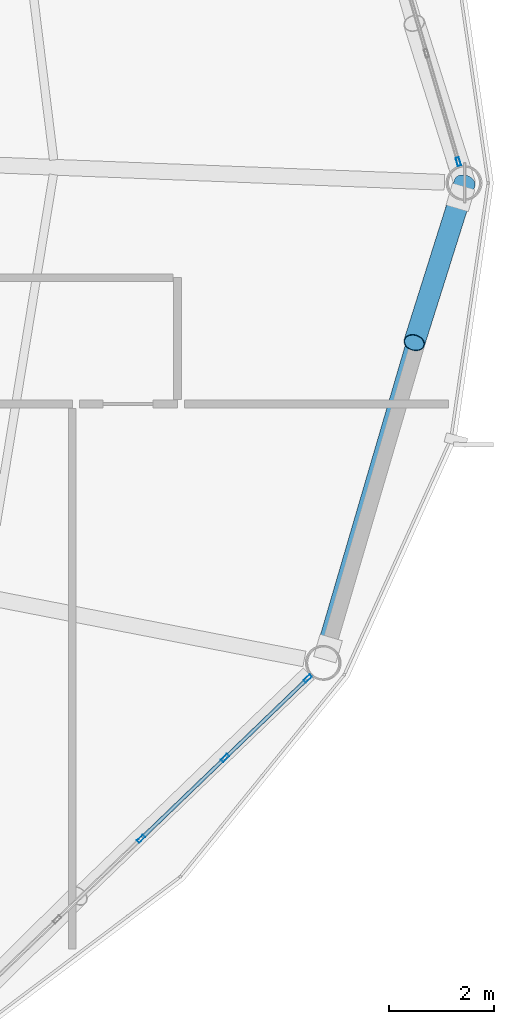
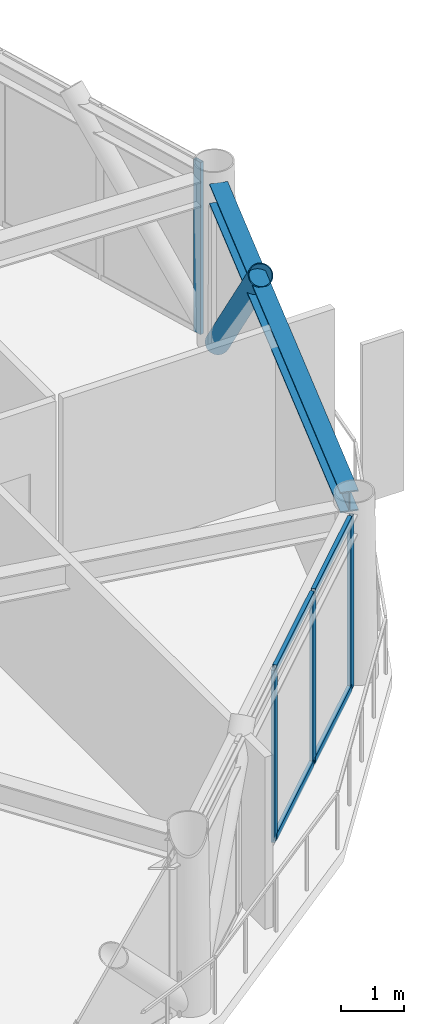
# One storey, part 15 of 28: 9 members, 1 beam, 2 elements without a shape of their own.
"""IFC4 building model written with IfcOpenShell, lengths in metres."""

from ifc_helpers import new_model, si_unit, direction, frame, origin, origin_2d, place, context, subcontext, project, spatial, hollow_rectangle, hollow_circle, i_section, extrude, material, layer, layer_set, material_profile, profile_set, type_object, element, aggregate, save


model = new_model("IFC4")

# Units and contexts
model_context = context("Model", 3, precision=1e-05, world=origin(), true_north=direction((0.0, 1.0)))
body_context = subcontext(model_context, "Body", "Model", "MODEL_VIEW")
ifc_project = project(units=[si_unit("LENGTHUNIT", "METRE"), si_unit("AREAUNIT", "SQUARE_METRE"), si_unit("VOLUMEUNIT", "CUBIC_METRE"), si_unit("PLANEANGLEUNIT", "RADIAN"), si_unit("MASSUNIT", "GRAM", prefix="KILO")], contexts=[model_context])

# Site, building, storey
site_placement = place(None, origin())
site = spatial("IfcSite", under=ifc_project, at=site_placement, CompositionType="ELEMENT")
building_placement = place(site_placement, origin())
building = spatial("IfcBuilding", under=site, at=building_placement, Name="Varnakorn Sky Granary", CompositionType="ELEMENT")
storey_placement = place(building_placement, frame((0.0, 0.0, 214.800048828125)))
storey = spatial("IfcBuildingStorey", under=building, at=storey_placement, Name="L54", CompositionType="ELEMENT", Elevation=214.800048828125)

# Beam
ifc_material_1 = material(Name="Steel S355JR", Category="steel")
ifc_material_profile_1 = material_profile(ifc_material_1, i_section(OverallWidth=0.300048828125, OverallDepth=0.39990234375, WebThickness=0.013427734375, FlangeThickness=0.02392578125, at=origin_2d()), Name="HE 400 B")
ifc_profile_set_1 = profile_set([ifc_material_profile_1], Name="Steel S355JR")
beam_type = type_object("IfcBeamType", Name="BM-SPD-Z4", PredefinedType="SPANDREL", material=ifc_profile_set_1)
beam_placement = place(storey_placement, frame((21.30810546875, -8.80224609375, 3.159912109375), z_axis=(0.281151394654, 0.959663427085, 0.0), x_axis=(-0.959663427085, 0.281151394654, 0.0)))
element("IfcBeam", 1, at=beam_placement, inside=storey, type_object=beam_type, Name="Perimeter Spandrel Ring Beam RB12 L54", PredefinedType="SPANDREL", context=body_context, shape_type="SweptSolid", body=[
    extrude(i_section(OverallWidth=0.300048828125, OverallDepth=0.39990234375, WebThickness=0.013427734375, FlangeThickness=0.02392578125, at=origin_2d()), origin(), (0.0, 0.0, 1.0), 8.857177734375),
])

# Curtain wall, member
ifc_material_2 = material(Name="Anodised Bronze Aluminium Alloy 6063-T6", Category="aluminium")
ifc_layer = layer(ifc_material_2, 0.169921875, Name="Anodised Bronze Aluminium Alloy 6063-T6")
ifc_layer_set = layer_set([ifc_layer], Name="Anodised Bronze Aluminium Alloy 6063-T6")
curtain_wall_type = type_object("IfcCurtainWallType", Name="CW-LAB-1", PredefinedType="USERDEFINED", material=ifc_layer_set)
curtain_wall_1_placement = place(storey_placement, origin())
curtain_wall_1 = element("IfcCurtainWall", 2, at=curtain_wall_1_placement, inside=storey, type_object=curtain_wall_type, Name="Unitised Curtain Wall CW5 CW-L54-B01", ObjectType="CURTAIN WALL", PredefinedType="USERDEFINED")
ifc_material_profile_2 = material_profile(ifc_material_2, hollow_rectangle(XDim=0.06494140625, YDim=0.159912109375, WallThickness=0.00341796875, at=origin_2d()), Name="ALU MULL 65x160")
ifc_profile_set_2 = profile_set([ifc_material_profile_2], Name="Anodised Bronze Aluminium Alloy 6063-T6")
member_type_1 = type_object("IfcMemberType", Name="CW-LAB-1-MULL", PredefinedType="MULLION", material=ifc_profile_set_2)
member_1_placement = place(storey_placement, frame((23.8359375, 0.4052734375, 0.0), z_axis=(0.0, 0.0, 1.0), x_axis=(0.959539962352, 0.281572478502, 0.0)))
member_1 = element("IfcMember", 3, at=member_1_placement, type_object=member_type_1, Name="CW5 mullion 5", PredefinedType="MULLION", context=body_context, shape_type="SweptSolid", body=[
    extrude(hollow_rectangle(XDim=0.06494140625, YDim=0.159912109375, WallThickness=0.00341796875, at=origin_2d()), origin(), (0.0, 0.0, 1.0), 3.35986328125),
])
aggregate(curtain_wall_1, [member_1])

# Curtain wall, members
curtain_wall_2_placement = place(storey_placement, origin())
curtain_wall_2 = element("IfcCurtainWall", 4, at=curtain_wall_2_placement, inside=storey, type_object=curtain_wall_type, Name="Unitised Curtain Wall CW5 CW-L54-B11", ObjectType="CURTAIN WALL", PredefinedType="USERDEFINED")
member_2_placement = place(storey_placement, frame((20.973876953125, -9.413818359375, 0.0), z_axis=(0.0, 0.0, 1.0), x_axis=(0.693140093091, -0.72080289355, 0.0)))
member_2 = element("IfcMember", 5, at=member_2_placement, type_object=member_type_1, Name="CW5 mullion 1", PredefinedType="MULLION", context=body_context, shape_type="SweptSolid", body=[
    extrude(hollow_rectangle(XDim=0.06494140625, YDim=0.159912109375, WallThickness=0.00341796875, at=origin_2d()), origin(), (0.0, 0.0, 1.0), 3.35986328125),
])
member_3_placement = place(storey_placement, frame((19.402099609375, -10.92529296875, 0.0), z_axis=(0.0, 0.0, 1.0), x_axis=(0.693140093091, -0.72080289355, 0.0)))
member_3 = element("IfcMember", 6, at=member_3_placement, type_object=member_type_1, Name="CW5 mullion 2", PredefinedType="MULLION", context=body_context, shape_type="SweptSolid", body=[
    extrude(hollow_rectangle(XDim=0.06494140625, YDim=0.159912109375, WallThickness=0.00341796875, at=origin_2d()), origin(), (0.0, 0.0, 1.0), 3.35986328125),
])
member_4_placement = place(storey_placement, frame((17.806640625, -12.45947265625, 0.0), z_axis=(0.0, 0.0, 1.0), x_axis=(0.693140093091, -0.72080289355, 0.0)))
member_4 = element("IfcMember", 7, at=member_4_placement, type_object=member_type_1, Name="CW5 mullion 3", PredefinedType="MULLION", context=body_context, shape_type="SweptSolid", body=[
    extrude(hollow_rectangle(XDim=0.06494140625, YDim=0.159912109375, WallThickness=0.00341796875, at=origin_2d()), origin(), (0.0, 0.0, 1.0), 3.35986328125),
])
ifc_material_profile_3 = material_profile(ifc_material_2, hollow_rectangle(XDim=0.070068359375, YDim=0.139892578125, WallThickness=0.00341796875, at=origin_2d()), Name="ALU TRAN 70x140")
ifc_profile_set_3 = profile_set([ifc_material_profile_3], Name="Anodised Bronze Aluminium Alloy 6063-T6")
member_type_2 = type_object("IfcMemberType", Name="CW-LAB-1-TRAN", PredefinedType="USERDEFINED", material=ifc_profile_set_3)
member_5_placement = place(storey_placement, frame((20.950439453125, -9.436279296875, 0.034912109375), z_axis=(-0.720762102914, -0.693182509158, 0.0), x_axis=(0.693182509158, -0.720762102914, 0.0)))
member_5 = element("IfcMember", 8, at=member_5_placement, type_object=member_type_2, Name="CW5 transom 1.1", ObjectType="TRANSOM", PredefinedType="USERDEFINED", context=body_context, shape_type="SweptSolid", body=[
    extrude(hollow_rectangle(XDim=0.070068359375, YDim=0.139892578125, WallThickness=0.00341796875, at=origin_2d()), origin(), (0.0, 0.0, 1.0), 2.11572265625),
])
member_6_placement = place(storey_placement, frame((20.950439453125, -9.436279296875, 3.324951171875), z_axis=(-0.720762102914, -0.693182509158, 0.0), x_axis=(0.693182509158, -0.720762102914, 0.0)))
member_6 = element("IfcMember", 9, at=member_6_placement, type_object=member_type_2, Name="CW5 transom 1.2", ObjectType="TRANSOM", PredefinedType="USERDEFINED", context=body_context, shape_type="SweptSolid", body=[
    extrude(hollow_rectangle(XDim=0.070068359375, YDim=0.139892578125, WallThickness=0.00341796875, at=origin_2d()), origin(), (0.0, 0.0, 1.0), 2.11572265625),
])
member_7_placement = place(storey_placement, frame((19.378662109375, -10.947998046875, 0.034912109375), z_axis=(-0.720835248654, -0.693106445143, 0.0), x_axis=(0.693106445143, -0.720835248654, 0.0)))
member_7 = element("IfcMember", 10, at=member_7_placement, type_object=member_type_2, Name="CW5 transom 2.1", ObjectType="TRANSOM", PredefinedType="USERDEFINED", context=body_context, shape_type="SweptSolid", body=[
    extrude(hollow_rectangle(XDim=0.070068359375, YDim=0.139892578125, WallThickness=0.00341796875, at=origin_2d()), origin(), (0.0, 0.0, 1.0), 2.1484375),
])
member_8_placement = place(storey_placement, frame((19.378662109375, -10.947998046875, 3.324951171875), z_axis=(-0.720835248654, -0.693106445143, 0.0), x_axis=(0.693106445143, -0.720835248654, 0.0)))
member_8 = element("IfcMember", 11, at=member_8_placement, type_object=member_type_2, Name="CW5 transom 2.2", ObjectType="TRANSOM", PredefinedType="USERDEFINED", context=body_context, shape_type="SweptSolid", body=[
    extrude(hollow_rectangle(XDim=0.070068359375, YDim=0.139892578125, WallThickness=0.00341796875, at=origin_2d()), origin(), (0.0, 0.0, 1.0), 2.1484375),
])
aggregate(curtain_wall_2, [member_2, member_3, member_4, member_5, member_6, member_7, member_8])

# Member
ifc_material_3 = material(Name="Steel S460M", Category="steel")
ifc_material_profile_4 = material_profile(ifc_material_3, hollow_circle(Radius=0.203125, WallThickness=0.01611328125, at=origin_2d()), Name="CHS 406.4x16")
ifc_profile_set_4 = profile_set([ifc_material_profile_4], Name="Steel S460M")
member_type_3 = type_object("IfcMemberType", Name="MB-DIAG-T4", PredefinedType="BRACE", material=ifc_profile_set_4)
member_9_placement = place(storey_placement, frame((23.955078125, 0.0, 0.0), z_axis=(-0.20268207504, -0.642576096614, 0.738928911681), x_axis=(0.953683485388, -0.300811917481, 0.0)))
element("IfcMember", 12, at=member_9_placement, inside=storey, type_object=member_type_3, Name="Perimeter CHS Diagrid Brace DG12 L54", PredefinedType="BRACE", context=body_context, shape_type="SweptSolid", body=[
    extrude(hollow_circle(Radius=0.203125, WallThickness=0.01611328125, at=origin_2d()), origin(), (0.0, 0.0, 1.0), 4.72314453125),
])

save(model, "model.ifc")
